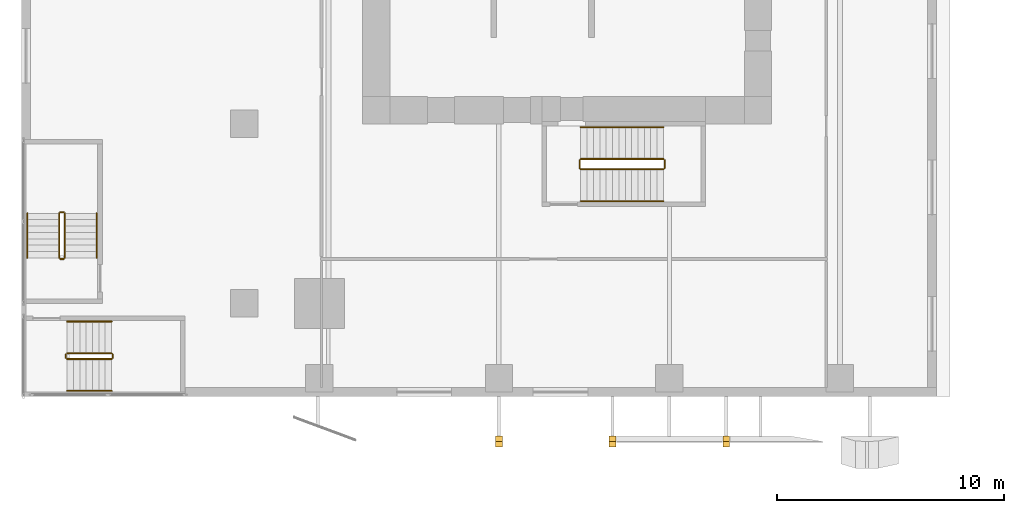
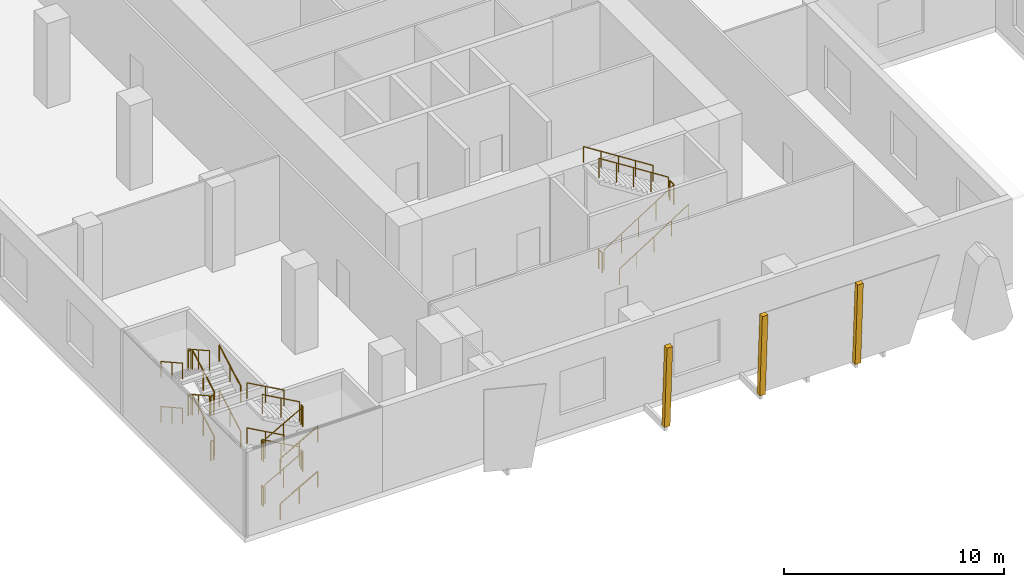
# One storey, part 17 of 22: 30 railings, 3 coverings.
"""IFC4 building model written with IfcOpenShell, lengths in metres."""

from ifc_helpers import new_model, si_unit, direction, frame, origin, origin_2d, place, context, subcontext, project, spatial, polyline, circle, outline, extrude, source, transform, mapped, material, layer, layer_set, type_object, element, save


model = new_model("IFC4")

# Units and contexts
model_context = context("Model", 3, precision=1e-05, world=origin(), true_north=direction((0.0, 1.0)))
body_context = subcontext(model_context, "Body", "Model", "MODEL_VIEW")
ifc_project = project(units=[si_unit("LENGTHUNIT", "METRE"), si_unit("AREAUNIT", "SQUARE_METRE"), si_unit("VOLUMEUNIT", "CUBIC_METRE"), si_unit("PLANEANGLEUNIT", "RADIAN"), si_unit("MASSUNIT", "GRAM", prefix="KILO")], contexts=[model_context])

# Site, building, storey
site_placement = place(None, origin())
site = spatial("IfcSite", under=ifc_project, at=site_placement, CompositionType="ELEMENT")
building_placement = place(site_placement, origin())
building = spatial("IfcBuilding", under=site, at=building_placement, Name="Khomas Fold Tower", CompositionType="ELEMENT")
storey_placement = place(building_placement, frame((0.0, 0.0, 23.5)))
storey = spatial("IfcBuildingStorey", under=building, at=storey_placement, Name="L04", CompositionType="ELEMENT", Elevation=23.5)

# Coverings
ifc_material_1 = material(Name="Natural stone cladding", Category="masonry")
ifc_layer = layer(ifc_material_1, 0.25)
ifc_layer_set = layer_set([ifc_layer], Name="Natural stone cladding")
covering_type = type_object("IfcCoveringType", Name="SK-Karibib marble stone mullion", PredefinedType="CLADDING", material=ifc_layer_set)
for number, where, z_axis, x_axis, name in (
    (1, (12.14990234375, -1.97705078125, 4.550048828125), (0.0, 0.998628761104, 0.052350716295), (0.0, 0.052350716295, -0.998628761104), "OUTER SKIN mullion L04 SM100-2"),
    (2, (17.14990234375, -1.97705078125, 4.550048828125), (0.0, 0.998628761104, 0.052350716295), (0.0, 0.052350716295, -0.998628761104), "OUTER SKIN mullion L04 SM101-3"),
    (3, (22.14990234375, -1.97705078125, 4.550048828125), (0.0, 0.998628761104, 0.052350716295), (0.0, 0.052350716295, -0.998628761104), "OUTER SKIN mullion L04 SM102-5"),
):
    element("IfcCovering", number, at=place(storey_placement, frame(where, z_axis=z_axis, x_axis=x_axis)), inside=storey, type_object=covering_type, Name=name, PredefinedType="CLADDING", context=body_context, shape_type="SweptSolid", body=[
        extrude(outline(polyline([(0.0, 0.0), (4.556296599245323, 0.0), (4.556296599245323, 0.2998046875), (0.0, 0.2998046875), (0.0, 0.0)])), origin(), (0.0, 0.0, -1.0), 0.25),
    ])

# Railings
ifc_material_2 = material(Name="Steel balustrade", Category="steel")
railing_type_1 = type_object("IfcRailingType", Name="Stair guard", PredefinedType="GUARDRAIL", material=ifc_material_2)
shared_shape_1 = source(origin(), body_context, "Body", "SweptSolid", [
    extrude(circle(Radius=0.02392578125, at=origin_2d()), frame((0.0, 0.0, 1.076171875), z_axis=(0.0, 1.0, 0.0), x_axis=(-1.0, 0.0, 0.0)), (0.0, 0.0, 1.0), 0.349853515625),
    extrude(circle(Radius=0.02099609375, at=origin_2d()), origin(), (0.0, 0.0, 1.0), 1.052001953125),
    extrude(circle(Radius=0.02099609375, at=origin_2d()), frame((0.0, 0.349853515625, 0.0)), (0.0, 0.0, 1.0), 1.052001953125),
])
for number, where, name in (
    (4, (19.2900390625, 10.050048828125, 2.5), "L04 ST2 stair guard 2"),
    (5, (15.550048828125, 10.050048828125, 0.0), "L04 ST2 stair guard 4"),
):
    element("IfcRailing", number, at=place(storey_placement, frame(where)), inside=storey, type_object=railing_type_1, Name=name, PredefinedType="GUARDRAIL", context=body_context, shape_type="MappedRepresentation", body=[
        mapped(shared_shape_1, transform((0.0, 0.0, 0.0))),
    ])
shared_shape_2 = source(origin(), body_context, "Body", "SweptSolid", [
    extrude(circle(Radius=0.02392578125, at=origin_2d()), frame((0.0, 0.0, 1.076171875), z_axis=(0.843111507901, 0.0, 0.53773877045), x_axis=(0.0, 1.0, 0.0)), (0.0, 0.0, 1.0), 4.317138671875),
    extrude(circle(Radius=0.02099609375, at=origin_2d()), origin(), (0.0, 0.0, 1.0), 1.052001953125),
    extrude(circle(Radius=0.02099609375, at=origin_2d()), frame((0.909912109375, 0.0, 0.580322265625)), (0.0, 0.0, 1.0), 1.052001953125),
    extrude(circle(Radius=0.02099609375, at=origin_2d()), frame((1.81982421875, 0.0, 1.16064453125)), (0.0, 0.0, 1.0), 1.052001953125),
    extrude(circle(Radius=0.02099609375, at=origin_2d()), frame((2.72998046875, 0.0, 1.7412109375)), (0.0, 0.0, 1.0), 1.052001953125),
    extrude(circle(Radius=0.02099609375, at=origin_2d()), frame((3.639892578125, 0.0, 2.321533203125)), (0.0, 0.0, 1.0), 1.052001953125),
])
railing_1_placement = place(storey_placement, frame((15.60009765625, 10.0, 0.178466796875)))
element("IfcRailing", 6, at=railing_1_placement, inside=storey, type_object=railing_type_1, Name="L04 ST2 stair guard 1", PredefinedType="GUARDRAIL", context=body_context, shape_type="MappedRepresentation", body=[
    mapped(shared_shape_2, transform((0.0, 0.0, 0.0))),
])
shared_shape_3 = source(origin(), body_context, "Body", "SweptSolid", [
    extrude(circle(Radius=0.02392578125, at=origin_2d()), frame((0.0, 0.0, 1.076171875), z_axis=(-0.843111507901, 0.0, 0.53773877045), x_axis=(0.0, -1.0, 0.0)), (0.0, 0.0, 1.0), 4.317138671875),
    extrude(circle(Radius=0.02099609375, at=origin_2d()), origin(), (0.0, 0.0, 1.0), 1.052001953125),
    extrude(circle(Radius=0.02099609375, at=origin_2d()), frame((-0.909912109375, 0.0, 0.580322265625)), (0.0, 0.0, 1.0), 1.052001953125),
    extrude(circle(Radius=0.02099609375, at=origin_2d()), frame((-1.81982421875, 0.0, 1.16064453125)), (0.0, 0.0, 1.0), 1.052001953125),
    extrude(circle(Radius=0.02099609375, at=origin_2d()), frame((-2.72998046875, 0.0, 1.7412109375)), (0.0, 0.0, 1.0), 1.052001953125),
    extrude(circle(Radius=0.02099609375, at=origin_2d()), frame((-3.639892578125, 0.0, 2.321533203125)), (0.0, 0.0, 1.0), 1.052001953125),
])
railing_2_placement = place(storey_placement, frame((19.239990234375, 10.449951171875, 2.678466796875)))
element("IfcRailing", 7, at=railing_2_placement, inside=storey, type_object=railing_type_1, Name="L04 ST2 stair guard 3", PredefinedType="GUARDRAIL", context=body_context, shape_type="MappedRepresentation", body=[
    mapped(shared_shape_3, transform((0.0, 0.0, 0.0))),
])
ifc_material_3 = material(Name="Steel handrail", Category="steel")
railing_type_2 = type_object("IfcRailingType", Name="Stair handrail", PredefinedType="HANDRAIL", material=ifc_material_3)
shared_shape_4 = source(origin(), body_context, "Body", "SweptSolid", [
    extrude(circle(Radius=0.02392578125, at=origin_2d()), frame((0.0, 0.0, 0.8759765625), z_axis=(0.843111507901, 0.0, 0.53773877045), x_axis=(0.0, 1.0, 0.0)), (0.0, 0.0, 1.0), 4.317138671875),
    extrude(circle(Radius=0.02099609375, at=origin_2d()), origin(), (0.0, 0.0, 1.0), 0.851806640625),
    extrude(circle(Radius=0.02099609375, at=origin_2d()), frame((0.909912109375, 0.0, 0.580322265625)), (0.0, 0.0, 1.0), 0.851806640625),
    extrude(circle(Radius=0.02099609375, at=origin_2d()), frame((1.81982421875, 0.0, 1.16064453125)), (0.0, 0.0, 1.0), 0.851806640625),
    extrude(circle(Radius=0.02099609375, at=origin_2d()), frame((2.72998046875, 0.0, 1.7412109375)), (0.0, 0.0, 1.0), 0.851806640625),
    extrude(circle(Radius=0.02099609375, at=origin_2d()), frame((3.639892578125, 0.0, 2.321533203125)), (0.0, 0.0, 1.0), 0.851806640625),
])
railing_3_placement = place(storey_placement, frame((15.60009765625, 8.60009765625, 0.178466796875)))
element("IfcRailing", 8, at=railing_3_placement, inside=storey, type_object=railing_type_2, Name="L04 ST2 stair handrail 1", PredefinedType="HANDRAIL", context=body_context, shape_type="MappedRepresentation", body=[
    mapped(shared_shape_4, transform((0.0, 0.0, 0.0))),
])
shared_shape_5 = source(origin(), body_context, "Body", "SweptSolid", [
    extrude(circle(Radius=0.02392578125, at=origin_2d()), frame((0.0, 0.0, 0.8759765625), z_axis=(-0.843111507901, 0.0, 0.53773877045), x_axis=(0.0, -1.0, 0.0)), (0.0, 0.0, 1.0), 4.317138671875),
    extrude(circle(Radius=0.02099609375, at=origin_2d()), origin(), (0.0, 0.0, 1.0), 0.851806640625),
    extrude(circle(Radius=0.02099609375, at=origin_2d()), frame((-0.909912109375, 0.0, 0.580322265625)), (0.0, 0.0, 1.0), 0.851806640625),
    extrude(circle(Radius=0.02099609375, at=origin_2d()), frame((-1.81982421875, 0.0, 1.16064453125)), (0.0, 0.0, 1.0), 0.851806640625),
    extrude(circle(Radius=0.02099609375, at=origin_2d()), frame((-2.72998046875, 0.0, 1.7412109375)), (0.0, 0.0, 1.0), 0.851806640625),
    extrude(circle(Radius=0.02099609375, at=origin_2d()), frame((-3.639892578125, 0.0, 2.321533203125)), (0.0, 0.0, 1.0), 0.851806640625),
])
railing_4_placement = place(storey_placement, frame((19.239990234375, 11.85009765625, 2.678466796875)))
element("IfcRailing", 9, at=railing_4_placement, inside=storey, type_object=railing_type_2, Name="L04 ST2 stair handrail 2", PredefinedType="HANDRAIL", context=body_context, shape_type="MappedRepresentation", body=[
    mapped(shared_shape_5, transform((0.0, 0.0, 0.0))),
])
shared_shape_6 = source(origin(), body_context, "Body", "SweptSolid", [
    extrude(circle(Radius=0.02392578125, at=origin_2d()), frame((0.0, 0.0, 1.076171875), z_axis=(0.0, 1.0, 0.0), x_axis=(-1.0, 0.0, 0.0)), (0.0, 0.0, 1.0), 0.150146484375),
    extrude(circle(Radius=0.02099609375, at=origin_2d()), origin(), (0.0, 0.0, 1.0), 1.052001953125),
    extrude(circle(Radius=0.02099609375, at=origin_2d()), frame((0.0, 0.150146484375, 0.0)), (0.0, 0.0, 1.0), 1.052001953125),
])
for number, where, name in (
    (10, (-4.989990234375, 1.699951171875, 1.25), "L04 PS1 stair guard 2"),
    (11, (-7.050048828125, 1.699951171875, 2.5), "L04 PS1 stair guard 4"),
    (12, (-4.989990234375, 1.699951171875, 3.75), "L04 PS1 stair guard 6"),
    (13, (-7.050048828125, 1.699951171875, 0.0), "L04 PS1 stair guard 8"),
):
    element("IfcRailing", number, at=place(storey_placement, frame(where)), inside=storey, type_object=railing_type_1, Name=name, PredefinedType="GUARDRAIL", context=body_context, shape_type="MappedRepresentation", body=[
        mapped(shared_shape_6, transform((0.0, 0.0, 0.0))),
    ])
shared_shape_7 = source(origin(), body_context, "Body", "SweptSolid", [
    extrude(circle(Radius=0.02392578125, at=origin_2d()), frame((0.0, 0.0, 1.076171875), z_axis=(0.873232148454, 0.0, 0.487304437602), x_axis=(0.0, 1.0, 0.0)), (0.0, 0.0, 1.0), 2.244384765625),
    extrude(circle(Radius=0.02099609375, at=origin_2d()), origin(), (0.0, 0.0, 1.0), 1.052001953125),
    extrude(circle(Radius=0.02099609375, at=origin_2d()), frame((0.97998046875, 0.0, 0.546875)), (0.0, 0.0, 1.0), 1.052001953125),
    extrude(circle(Radius=0.02099609375, at=origin_2d()), frame((1.9599609375, 0.0, 1.09375)), (0.0, 0.0, 1.0), 1.052001953125),
])
for number, where, name in (
    (14, (-7.0, 1.64990234375, 0.15625), "L04 PS1 stair guard 1"),
    (15, (-7.0, 1.64990234375, 2.65625), "L04 PS1 stair guard 5"),
):
    element("IfcRailing", number, at=place(storey_placement, frame(where)), inside=storey, type_object=railing_type_1, Name=name, PredefinedType="GUARDRAIL", context=body_context, shape_type="MappedRepresentation", body=[
        mapped(shared_shape_7, transform((0.0, 0.0, 0.0))),
    ])
shared_shape_8 = source(origin(), body_context, "Body", "SweptSolid", [
    extrude(circle(Radius=0.02392578125, at=origin_2d()), frame((0.0, 0.0, 1.076171875), z_axis=(-0.873232148454, 0.0, 0.487304437602), x_axis=(0.0, -1.0, 0.0)), (0.0, 0.0, 1.0), 2.244384765625),
    extrude(circle(Radius=0.02099609375, at=origin_2d()), origin(), (0.0, 0.0, 1.0), 1.052001953125),
    extrude(circle(Radius=0.02099609375, at=origin_2d()), frame((-0.97998046875, 0.0, 0.546875)), (0.0, 0.0, 1.0), 1.052001953125),
    extrude(circle(Radius=0.02099609375, at=origin_2d()), frame((-1.9599609375, 0.0, 1.09375)), (0.0, 0.0, 1.0), 1.052001953125),
])
for number, where, name in (
    (16, (-5.0400390625, 1.89990234375, 1.40625), "L04 PS1 stair guard 3"),
    (17, (-5.0400390625, 1.89990234375, 3.90625), "L04 PS1 stair guard 7"),
):
    element("IfcRailing", number, at=place(storey_placement, frame(where)), inside=storey, type_object=railing_type_1, Name=name, PredefinedType="GUARDRAIL", context=body_context, shape_type="MappedRepresentation", body=[
        mapped(shared_shape_8, transform((0.0, 0.0, 0.0))),
    ])
shared_shape_9 = source(origin(), body_context, "Body", "SweptSolid", [
    extrude(circle(Radius=0.02392578125, at=origin_2d()), frame((0.0, 0.0, 0.8759765625), z_axis=(0.873232148454, 0.0, 0.487304437602), x_axis=(0.0, 1.0, 0.0)), (0.0, 0.0, 1.0), 2.244384765625),
    extrude(circle(Radius=0.02099609375, at=origin_2d()), origin(), (0.0, 0.0, 1.0), 0.851806640625),
    extrude(circle(Radius=0.02099609375, at=origin_2d()), frame((0.97998046875, 0.0, 0.546875)), (0.0, 0.0, 1.0), 0.851806640625),
    extrude(circle(Radius=0.02099609375, at=origin_2d()), frame((1.9599609375, 0.0, 1.09375)), (0.0, 0.0, 1.0), 0.851806640625),
])
for number, where, name in (
    (18, (-7.0, 0.25, 0.15625), "L04 PS1 stair handrail 1"),
    (19, (-7.0, 0.25, 2.65625), "L04 PS1 stair handrail 3"),
):
    element("IfcRailing", number, at=place(storey_placement, frame(where)), inside=storey, type_object=railing_type_2, Name=name, PredefinedType="HANDRAIL", context=body_context, shape_type="MappedRepresentation", body=[
        mapped(shared_shape_9, transform((0.0, 0.0, 0.0))),
    ])
shared_shape_10 = source(origin(), body_context, "Body", "SweptSolid", [
    extrude(circle(Radius=0.02392578125, at=origin_2d()), frame((0.0, 0.0, 0.8759765625), z_axis=(-0.873232148454, 0.0, 0.487304437602), x_axis=(0.0, -1.0, 0.0)), (0.0, 0.0, 1.0), 2.244384765625),
    extrude(circle(Radius=0.02099609375, at=origin_2d()), origin(), (0.0, 0.0, 1.0), 0.851806640625),
    extrude(circle(Radius=0.02099609375, at=origin_2d()), frame((-0.97998046875, 0.0, 0.546875)), (0.0, 0.0, 1.0), 0.851806640625),
    extrude(circle(Radius=0.02099609375, at=origin_2d()), frame((-1.9599609375, 0.0, 1.09375)), (0.0, 0.0, 1.0), 0.851806640625),
])
for number, where, name in (
    (20, (-5.0400390625, 3.300048828125, 1.40625), "L04 PS1 stair handrail 2"),
    (21, (-5.0400390625, 3.300048828125, 3.90625), "L04 PS1 stair handrail 4"),
):
    element("IfcRailing", number, at=place(storey_placement, frame(where)), inside=storey, type_object=railing_type_2, Name=name, PredefinedType="HANDRAIL", context=body_context, shape_type="MappedRepresentation", body=[
        mapped(shared_shape_10, transform((0.0, 0.0, 0.0))),
    ])
shared_shape_11 = source(origin(), body_context, "Body", "SweptSolid", [
    extrude(circle(Radius=0.02392578125, at=origin_2d()), frame((0.0, 0.0, 1.076171875), z_axis=(-1.0, 0.0, 0.0), x_axis=(0.0, -1.0, 0.0)), (0.0, 0.0, 1.0), 0.150146484375),
    extrude(circle(Radius=0.02099609375, at=origin_2d()), origin(), (0.0, 0.0, 1.0), 1.052001953125),
    extrude(circle(Radius=0.02099609375, at=origin_2d()), frame((-0.150146484375, 0.0, 0.0)), (0.0, 0.0, 1.0), 1.052001953125),
])
for number, where, name in (
    (22, (-7.14990234375, 8.110107421875, 1.25), "L04 PS2 stair guard 2"),
    (23, (-7.14990234375, 6.050048828125, 2.5), "L04 PS2 stair guard 4"),
    (24, (-7.14990234375, 8.110107421875, 3.75), "L04 PS2 stair guard 6"),
    (25, (-7.14990234375, 6.050048828125, 0.0), "L04 PS2 stair guard 8"),
):
    element("IfcRailing", number, at=place(storey_placement, frame(where)), inside=storey, type_object=railing_type_1, Name=name, PredefinedType="GUARDRAIL", context=body_context, shape_type="MappedRepresentation", body=[
        mapped(shared_shape_11, transform((0.0, 0.0, 0.0))),
    ])
shared_shape_12 = source(origin(), body_context, "Body", "SweptSolid", [
    extrude(circle(Radius=0.02392578125, at=origin_2d()), frame((0.0, 0.0, 1.076171875), z_axis=(0.0, 0.873232148454, 0.487304437602), x_axis=(-1.0, 0.0, 0.0)), (0.0, 0.0, 1.0), 2.244384765625),
    extrude(circle(Radius=0.02099609375, at=origin_2d()), origin(), (0.0, 0.0, 1.0), 1.052001953125),
    extrude(circle(Radius=0.02099609375, at=origin_2d()), frame((0.0, 0.97998046875, 0.546875)), (0.0, 0.0, 1.0), 1.052001953125),
    extrude(circle(Radius=0.02099609375, at=origin_2d()), frame((0.0, 1.9599609375, 1.09375)), (0.0, 0.0, 1.0), 1.052001953125),
])
for number, where, name in (
    (26, (-7.10009765625, 6.10009765625, 0.15625), "L04 PS2 stair guard 1"),
    (27, (-7.10009765625, 6.10009765625, 2.65625), "L04 PS2 stair guard 5"),
):
    element("IfcRailing", number, at=place(storey_placement, frame(where)), inside=storey, type_object=railing_type_1, Name=name, PredefinedType="GUARDRAIL", context=body_context, shape_type="MappedRepresentation", body=[
        mapped(shared_shape_12, transform((0.0, 0.0, 0.0))),
    ])
shared_shape_13 = source(origin(), body_context, "Body", "SweptSolid", [
    extrude(circle(Radius=0.02392578125, at=origin_2d()), frame((0.0, 0.0, 1.076171875), z_axis=(0.0, -0.873232148454, 0.487304437602), x_axis=(1.0, 0.0, 0.0)), (0.0, 0.0, 1.0), 2.244384765625),
    extrude(circle(Radius=0.02099609375, at=origin_2d()), origin(), (0.0, 0.0, 1.0), 1.052001953125),
    extrude(circle(Radius=0.02099609375, at=origin_2d()), frame((0.0, -0.97998046875, 0.546875)), (0.0, 0.0, 1.0), 1.052001953125),
    extrude(circle(Radius=0.02099609375, at=origin_2d()), frame((0.0, -1.9599609375, 1.09375)), (0.0, 0.0, 1.0), 1.052001953125),
])
for number, where, name in (
    (28, (-7.35009765625, 8.06005859375, 1.40625), "L04 PS2 stair guard 3"),
    (29, (-7.35009765625, 8.06005859375, 3.90625), "L04 PS2 stair guard 7"),
):
    element("IfcRailing", number, at=place(storey_placement, frame(where)), inside=storey, type_object=railing_type_1, Name=name, PredefinedType="GUARDRAIL", context=body_context, shape_type="MappedRepresentation", body=[
        mapped(shared_shape_13, transform((0.0, 0.0, 0.0))),
    ])
shared_shape_14 = source(origin(), body_context, "Body", "SweptSolid", [
    extrude(circle(Radius=0.02392578125, at=origin_2d()), frame((0.0, 0.0, 0.8759765625), z_axis=(0.0, 0.873232148454, 0.487304437602), x_axis=(-1.0, 0.0, 0.0)), (0.0, 0.0, 1.0), 2.244384765625),
    extrude(circle(Radius=0.02099609375, at=origin_2d()), origin(), (0.0, 0.0, 1.0), 0.851806640625),
    extrude(circle(Radius=0.02099609375, at=origin_2d()), frame((0.0, 0.97998046875, 0.546875)), (0.0, 0.0, 1.0), 0.851806640625),
    extrude(circle(Radius=0.02099609375, at=origin_2d()), frame((0.0, 1.9599609375, 1.09375)), (0.0, 0.0, 1.0), 0.851806640625),
])
for number, where, name in (
    (30, (-5.699951171875, 6.10009765625, 0.15625), "L04 PS2 stair handrail 1"),
    (31, (-5.699951171875, 6.10009765625, 2.65625), "L04 PS2 stair handrail 3"),
):
    element("IfcRailing", number, at=place(storey_placement, frame(where)), inside=storey, type_object=railing_type_2, Name=name, PredefinedType="HANDRAIL", context=body_context, shape_type="MappedRepresentation", body=[
        mapped(shared_shape_14, transform((0.0, 0.0, 0.0))),
    ])
shared_shape_15 = source(origin(), body_context, "Body", "SweptSolid", [
    extrude(circle(Radius=0.02392578125, at=origin_2d()), frame((0.0, 0.0, 0.8759765625), z_axis=(0.0, -0.873232148454, 0.487304437602), x_axis=(1.0, 0.0, 0.0)), (0.0, 0.0, 1.0), 2.244384765625),
    extrude(circle(Radius=0.02099609375, at=origin_2d()), origin(), (0.0, 0.0, 1.0), 0.851806640625),
    extrude(circle(Radius=0.02099609375, at=origin_2d()), frame((0.0, -0.97998046875, 0.546875)), (0.0, 0.0, 1.0), 0.851806640625),
    extrude(circle(Radius=0.02099609375, at=origin_2d()), frame((0.0, -1.9599609375, 1.09375)), (0.0, 0.0, 1.0), 0.851806640625),
])
for number, where, name in (
    (32, (-8.75, 8.06005859375, 1.40625), "L04 PS2 stair handrail 2"),
    (33, (-8.75, 8.06005859375, 3.90625), "L04 PS2 stair handrail 4"),
):
    element("IfcRailing", number, at=place(storey_placement, frame(where)), inside=storey, type_object=railing_type_2, Name=name, PredefinedType="HANDRAIL", context=body_context, shape_type="MappedRepresentation", body=[
        mapped(shared_shape_15, transform((0.0, 0.0, 0.0))),
    ])

save(model, "model.ifc")
